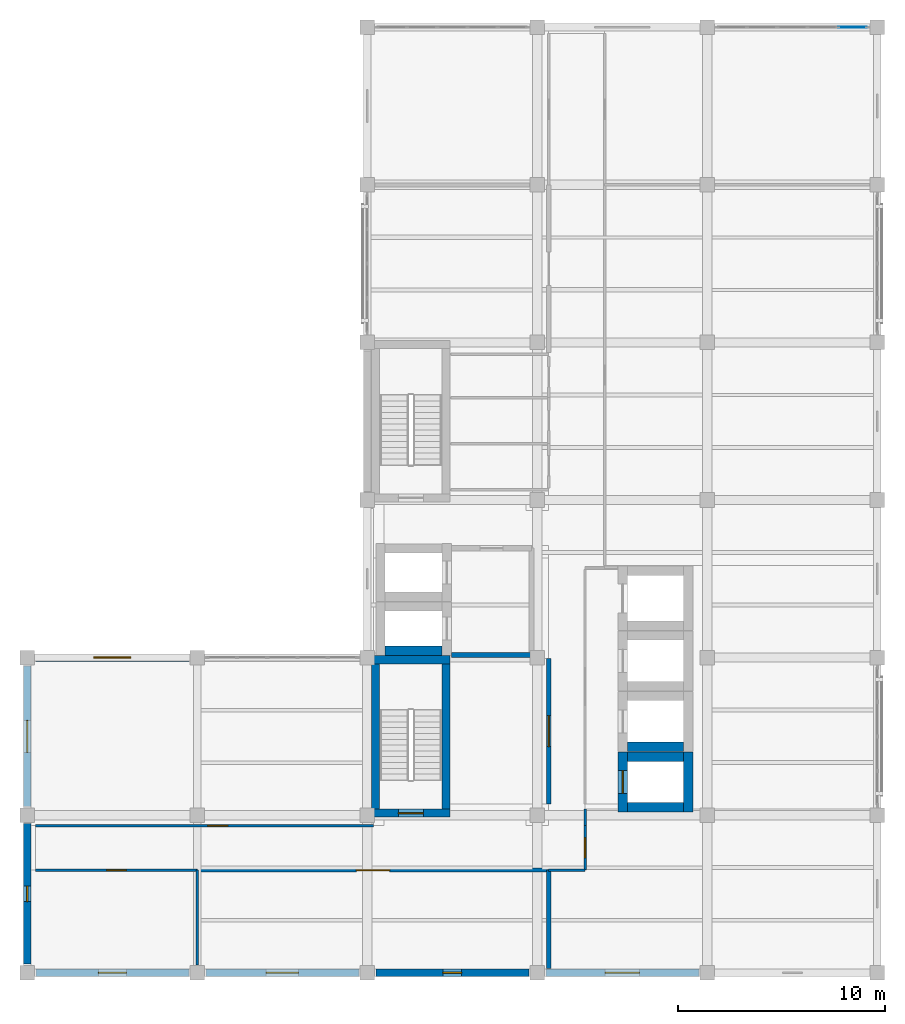
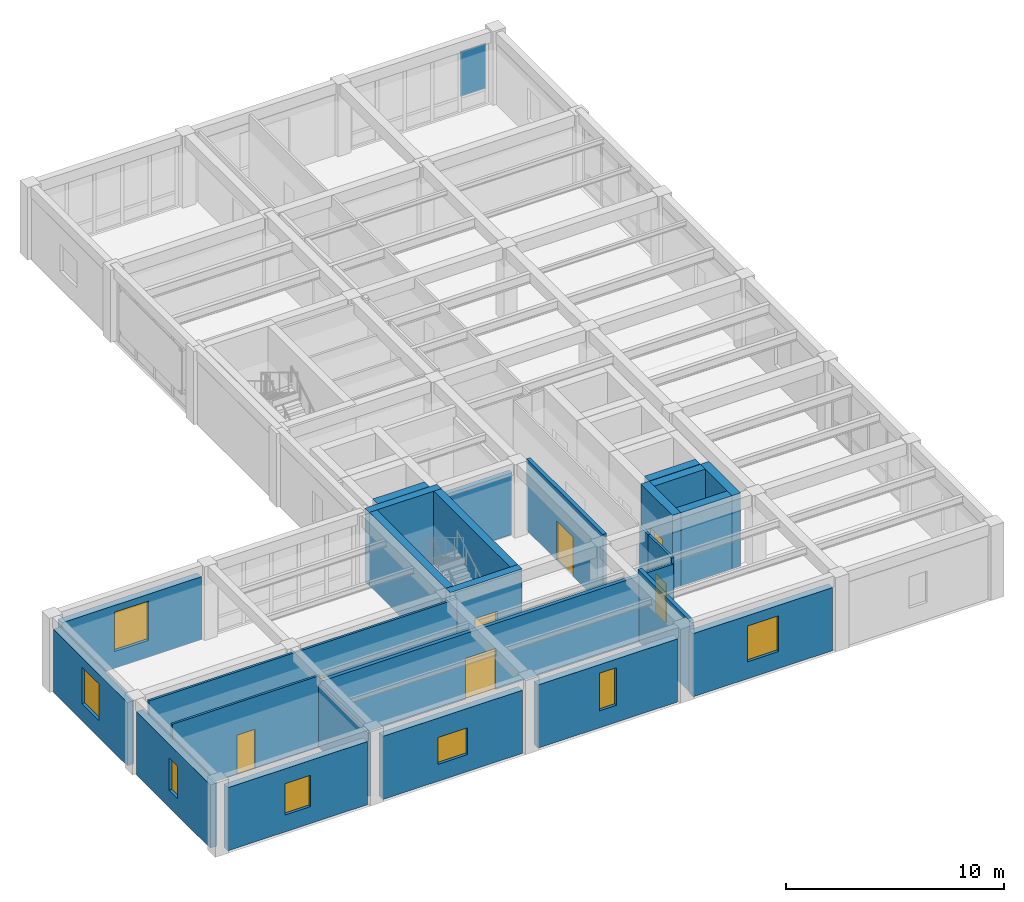
# One storey, part 7 of 13: 27 walls, 7 doors, 7 windows, 1 plate, 14 openings, 1 element without a shape of its own.
"""IFC4 building model written with IfcOpenShell, lengths in metres."""

from ifc_helpers import new_model, si_unit, direction, frame, frame_2d, origin, origin_2d, place, context, subcontext, project, spatial, rectangle, extrude, material, layer, layer_set, type_object, element, fill, aggregate, save


model = new_model("IFC4")

# Units and contexts
model_context = context("Model", 3, precision=1e-05, world=origin(), true_north=direction((0.0, 1.0)))
body_context = subcontext(model_context, "Body", "Model", "MODEL_VIEW")
ifc_project = project(units=[si_unit("LENGTHUNIT", "METRE"), si_unit("AREAUNIT", "SQUARE_METRE"), si_unit("VOLUMEUNIT", "CUBIC_METRE"), si_unit("PLANEANGLEUNIT", "RADIAN"), si_unit("MASSUNIT", "GRAM", prefix="KILO")], contexts=[model_context])

# Site, building, storey
site_placement = place(None, origin())
site = spatial("IfcSite", under=ifc_project, at=site_placement, CompositionType="ELEMENT")
building_placement = place(site_placement, origin())
building = spatial("IfcBuilding", under=site, at=building_placement, Name="Qandaris Square Conservatory and Botanical Centre", CompositionType="ELEMENT")
storey_placement = place(building_placement, frame((0.0, 0.0, 61.800048828125)))
storey = spatial("IfcBuildingStorey", under=building, at=storey_placement, Name="L14", CompositionType="ELEMENT", Elevation=61.800048828125)

# Curtain wall, plate
ifc_material_1 = material(Name="Anodised Aluminium", Category="aluminium")
curtain_wall_type = type_object("IfcCurtainWallType", Name="Unitised Curtain Wall CW-3-730x344", PredefinedType="USERDEFINED", material=ifc_material_1)
curtain_wall_placement = place(storey_placement, origin())
curtain_wall = element("IfcCurtainWall", 1, at=curtain_wall_placement, inside=storey, type_object=curtain_wall_type, Name="Curtain Wall CW-TWR-L14-3-1", ObjectType="GLAZED CURTAIN WALL", PredefinedType="USERDEFINED")
ifc_material_2 = material(Name="Tempered Low-E Glass", Category="glass")
ifc_layer_1 = layer(ifc_material_2, 0.035888671875)
ifc_layer_set_1 = layer_set([ifc_layer_1], Name="Tempered Low-E Glass")
plate_type = type_object("IfcPlateType", Name="Double-Glazed Solar Control Vision Unit 36mm", PredefinedType="CURTAIN_PANEL", material=ifc_layer_set_1)
plate_placement = place(storey_placement, frame((162.603759765625, 62.199951171875, 0.85791015625), z_axis=(0.0, 0.0, 1.0), x_axis=(-1.0, 0.0, 0.0)))
plate = element("IfcPlate", 2, at=plate_placement, type_object=plate_type, Name="CW-3-730x344 panel 1.2", PredefinedType="CURTAIN_PANEL", context=body_context, shape_type="SweptSolid", body=[
    extrude(rectangle(XDim=1.362548828125, YDim=0.035888671875, at=origin_2d()), origin(), (0.0, 0.0, 1.0), 2.516845703125),
])
aggregate(curtain_wall, [plate])

# Wall, opening, window
ifc_material_3 = material(Name="Precast concrete C40/50", Category="concrete")
ifc_layer_2 = layer(ifc_material_3, 0.360107421875)
ifc_layer_set_2 = layer_set([ifc_layer_2], Name="Precast concrete C40/50")
wall_type_1 = type_object("IfcWallType", Name="Architectural Precast Cladding Wall 360mm", PredefinedType="SOLIDWALL", material=ifc_layer_set_2)
wall_1_placement = place(storey_placement, frame((123.2099609375, 16.60009765625, 0.0), z_axis=(0.0, 0.0, 1.0), x_axis=(1.0, 0.0, 0.0)))
wall_1 = element("IfcWall", 3, at=wall_1_placement, inside=storey, type_object=wall_type_1, Name="Exterior Wall EW-TWR-L14-1-1", PredefinedType="SOLIDWALL", context=body_context, shape_type="SweptSolid", body=[
    extrude(rectangle(XDim=7.380126953125, YDim=0.360107421875, at=frame_2d((3.68994140625, 0.0))), origin(), (0.0, 0.0, 1.0), 3.530029296875),
])
opening_1_placement = place(wall_1_placement, frame((3.014892578125, 0.0, 0.949951171875)))
opening_1 = element("IfcOpeningElement", 4, at=opening_1_placement, cuts=wall_1, Name="Opening WN-23", PredefinedType="OPENING", context=body_context, shape_type="SweptSolid", body=[
    extrude(rectangle(XDim=1.35009765625, YDim=1.75, at=frame_2d((0.675048828125, 0.875))), frame((0.0, 0.19189453125, 0.0), z_axis=(0.0, -1.0, 0.0), x_axis=(1.0, 0.0, 0.0)), (0.0, 0.0, 1.0), 0.384033203125),
])
window_type_1 = type_object("IfcWindowType", Name="Solar Control Window 1350x1750", PartitioningType="SINGLE_PANEL", PredefinedType="WINDOW", material=ifc_material_2)
window_1_placement = place(opening_1_placement, origin())
window_1 = element("IfcWindow", 5, at=window_1_placement, inside=storey, type_object=window_type_1, Name="Window EW-TWR-L14-1-1", OverallHeight=1.75, OverallWidth=1.35009765625, PartitioningType="SINGLE_PANEL", PredefinedType="WINDOW", context=body_context, shape_type="SweptSolid", body=[
    extrude(rectangle(XDim=1.35009765625, YDim=1.75, at=frame_2d((0.675048828125, 0.875))), frame((0.0, 0.030029296875, 0.0), z_axis=(0.0, -1.0, 0.0), x_axis=(1.0, 0.0, 0.0)), (0.0, 0.0, 1.0), 0.06005859375),
])
fill(opening_1, window_1)

wall_2_placement = place(storey_placement, frame((131.409912109375, 16.60009765625, 0.0), z_axis=(0.0, 0.0, 1.0), x_axis=(1.0, 0.0, 0.0)))
wall_2 = element("IfcWall", 6, at=wall_2_placement, inside=storey, type_object=wall_type_1, Name="Exterior Wall EW-TWR-L14-1-2", PredefinedType="SOLIDWALL", context=body_context, shape_type="SweptSolid", body=[
    extrude(rectangle(XDim=7.380126953125, YDim=0.360107421875, at=frame_2d((3.68994140625, 0.0))), origin(), (0.0, 0.0, 1.0), 3.530029296875),
])
opening_2_placement = place(wall_2_placement, frame((2.9150390625, 0.0, 0.949951171875)))
opening_2 = element("IfcOpeningElement", 7, at=opening_2_placement, cuts=wall_2, Name="Opening WN-26", PredefinedType="OPENING", context=body_context, shape_type="SweptSolid", body=[
    extrude(rectangle(XDim=1.550048828125, YDim=1.5, at=frame_2d((0.77490234375, 0.75))), frame((0.0, 0.19189453125, 0.0), z_axis=(0.0, -1.0, 0.0), x_axis=(1.0, 0.0, 0.0)), (0.0, 0.0, 1.0), 0.384033203125),
])
window_type_2 = type_object("IfcWindowType", Name="Solar Control Window 1550x1500", PartitioningType="DOUBLE_PANEL_VERTICAL", PredefinedType="WINDOW", material=ifc_material_2)
window_2_placement = place(opening_2_placement, origin())
window_2 = element("IfcWindow", 8, at=window_2_placement, inside=storey, type_object=window_type_2, Name="Window EW-TWR-L14-1-2", OverallHeight=1.5, OverallWidth=1.550048828125, PartitioningType="DOUBLE_PANEL_VERTICAL", PredefinedType="WINDOW", context=body_context, shape_type="SweptSolid", body=[
    extrude(rectangle(XDim=1.550048828125, YDim=1.5, at=frame_2d((0.77490234375, 0.75))), frame((0.0, 0.030029296875, 0.0), z_axis=(0.0, -1.0, 0.0), x_axis=(1.0, 0.0, 0.0)), (0.0, 0.0, 1.0), 0.06005859375),
])
fill(opening_2, window_2)

wall_3_placement = place(storey_placement, frame((139.610107421875, 16.60009765625, 0.0), z_axis=(0.0, 0.0, 1.0), x_axis=(1.0, 0.0, 0.0)))
wall_3 = element("IfcWall", 9, at=wall_3_placement, inside=storey, type_object=wall_type_1, Name="Exterior Wall EW-TWR-L14-1-3", PredefinedType="SOLIDWALL", context=body_context, shape_type="SweptSolid", body=[
    extrude(rectangle(XDim=7.3798828125, YDim=0.360107421875, at=frame_2d((3.68994140625, 0.0))), origin(), (0.0, 0.0, 1.0), 3.530029296875),
])
opening_3_placement = place(wall_3_placement, frame((3.239990234375, 0.0, 0.949951171875)))
opening_3 = element("IfcOpeningElement", 10, at=opening_3_placement, cuts=wall_3, Name="Opening WN-01", PredefinedType="OPENING", context=body_context, shape_type="SweptSolid", body=[
    extrude(rectangle(XDim=0.89990234375, YDim=2.10009765625, at=frame_2d((0.449951171875, 1.050048828125))), frame((0.0, 0.19189453125, 0.0), z_axis=(0.0, -1.0, 0.0), x_axis=(1.0, 0.0, 0.0)), (0.0, 0.0, 1.0), 0.384033203125),
])
window_type_3 = type_object("IfcWindowType", Name="Deep-Set Solar Slot Window 900x2100", PartitioningType="SINGLE_PANEL", PredefinedType="WINDOW", material=ifc_material_2)
window_3_placement = place(opening_3_placement, origin())
window_3 = element("IfcWindow", 11, at=window_3_placement, inside=storey, type_object=window_type_3, Name="Window EW-TWR-L14-1-3", OverallHeight=2.10009765625, OverallWidth=0.89990234375, PartitioningType="SINGLE_PANEL", PredefinedType="WINDOW", context=body_context, shape_type="SweptSolid", body=[
    extrude(rectangle(XDim=0.89990234375, YDim=2.10009765625, at=frame_2d((0.449951171875, 1.050048828125))), frame((0.0, 0.030029296875, 0.0), z_axis=(0.0, -1.0, 0.0), x_axis=(1.0, 0.0, 0.0)), (0.0, 0.0, 1.0), 0.06005859375),
])
fill(opening_3, window_3)

wall_4_placement = place(storey_placement, frame((147.81005859375, 16.60009765625, 0.0), z_axis=(0.0, 0.0, 1.0), x_axis=(1.0, 0.0, 0.0)))
wall_4 = element("IfcWall", 12, at=wall_4_placement, inside=storey, type_object=wall_type_1, Name="Exterior Wall EW-TWR-L14-1-4", PredefinedType="SOLIDWALL", context=body_context, shape_type="SweptSolid", body=[
    extrude(rectangle(XDim=7.3798828125, YDim=0.360107421875, at=frame_2d((3.68994140625, 0.0))), origin(), (0.0, 0.0, 1.0), 3.530029296875),
])
opening_4_placement = place(wall_4_placement, frame((2.864990234375, 0.0, 0.949951171875)))
opening_4 = element("IfcOpeningElement", 13, at=opening_4_placement, cuts=wall_4, Name="Opening WN-08", PredefinedType="OPENING", context=body_context, shape_type="SweptSolid", body=[
    extrude(rectangle(XDim=1.64990234375, YDim=2.0, at=frame_2d((0.824951171875, 1.0))), frame((0.0, 0.19189453125, 0.0), z_axis=(0.0, -1.0, 0.0), x_axis=(1.0, 0.0, 0.0)), (0.0, 0.0, 1.0), 0.384033203125),
])
window_type_4 = type_object("IfcWindowType", Name="Seminar Courtyard Window 1650x2000", PartitioningType="DOUBLE_PANEL_VERTICAL", PredefinedType="WINDOW", material=ifc_material_2)
window_4_placement = place(opening_4_placement, origin())
window_4 = element("IfcWindow", 14, at=window_4_placement, inside=storey, type_object=window_type_4, Name="Window EW-TWR-L14-1-4", OverallHeight=2.0, OverallWidth=1.64990234375, PartitioningType="DOUBLE_PANEL_VERTICAL", PredefinedType="WINDOW", context=body_context, shape_type="SweptSolid", body=[
    extrude(rectangle(XDim=1.64990234375, YDim=2.0, at=frame_2d((0.824951171875, 1.0))), frame((0.0, 0.030029296875, 0.0), z_axis=(0.0, -1.0, 0.0), x_axis=(1.0, 0.0, 0.0)), (0.0, 0.0, 1.0), 0.06005859375),
])
fill(opening_4, window_4)

wall_5_placement = place(storey_placement, frame((130.590087890625, 31.800048828125, 0.0), z_axis=(0.0, 0.0, 1.0), x_axis=(-1.0, 0.0, 0.0)))
wall_5 = element("IfcWall", 15, at=wall_5_placement, inside=storey, type_object=wall_type_1, Name="Exterior Wall EW-TWR-L14-5-2", PredefinedType="SOLIDWALL", context=body_context, shape_type="SweptSolid", body=[
    extrude(rectangle(XDim=7.380126953125, YDim=0.360107421875, at=frame_2d((3.68994140625, 0.0))), origin(), (0.0, 0.0, 1.0), 3.530029296875),
])
opening_5_placement = place(wall_5_placement, frame((2.7900390625, 0.0, 0.949951171875)))
opening_5 = element("IfcOpeningElement", 16, at=opening_5_placement, cuts=wall_5, Name="Opening WN-05", PredefinedType="OPENING", context=body_context, shape_type="SweptSolid", body=[
    extrude(rectangle(XDim=1.800048828125, YDim=2.199951171875, at=frame_2d((0.89990234375, 1.10009765625))), frame((0.0, 0.19189453125, 0.0), z_axis=(0.0, -1.0, 0.0), x_axis=(1.0, 0.0, 0.0)), (0.0, 0.0, 1.0), 0.384033203125),
])
window_type_5 = type_object("IfcWindowType", Name="Tower Corner Outlook Window 1800x2200", PartitioningType="DOUBLE_PANEL_VERTICAL", PredefinedType="WINDOW", material=ifc_material_2)
window_5_placement = place(opening_5_placement, origin())
window_5 = element("IfcWindow", 17, at=window_5_placement, inside=storey, type_object=window_type_5, Name="Window EW-TWR-L14-5-2", OverallHeight=2.199951171875, OverallWidth=1.800048828125, PartitioningType="DOUBLE_PANEL_VERTICAL", PredefinedType="WINDOW", context=body_context, shape_type="SweptSolid", body=[
    extrude(rectangle(XDim=1.800048828125, YDim=2.199951171875, at=frame_2d((0.89990234375, 1.10009765625))), frame((0.0, 0.030029296875, 0.0), z_axis=(0.0, -1.0, 0.0), x_axis=(1.0, 0.0, 0.0)), (0.0, 0.0, 1.0), 0.06005859375),
])
fill(opening_5, window_5)

wall_6_placement = place(storey_placement, frame((122.800048828125, 31.389892578125, 0.0), z_axis=(0.0, 0.0, 1.0), x_axis=(0.0, -1.0, 0.0)))
wall_6 = element("IfcWall", 18, at=wall_6_placement, inside=storey, type_object=wall_type_1, Name="Exterior Wall EW-TWR-L14-6-1", PredefinedType="SOLIDWALL", context=body_context, shape_type="SweptSolid", body=[
    extrude(rectangle(XDim=6.77978515625, YDim=0.360107421875, at=frame_2d((3.389892578125, 0.0))), origin(), (0.0, 0.0, 1.0), 3.530029296875),
])
opening_6_placement = place(wall_6_placement, frame((2.614990234375, 0.0, 0.949951171875)))
opening_6 = element("IfcOpeningElement", 19, at=opening_6_placement, cuts=wall_6, Name="Opening WN-28", PredefinedType="OPENING", context=body_context, shape_type="SweptSolid", body=[
    extrude(rectangle(XDim=1.550048828125, YDim=2.050048828125, at=frame_2d((0.77490234375, 1.02490234375))), frame((0.0, 0.19189453125, 0.0), z_axis=(0.0, -1.0, 0.0), x_axis=(1.0, 0.0, 0.0)), (0.0, 0.0, 1.0), 0.384033203125),
])
window_type_6 = type_object("IfcWindowType", Name="Solar Control Window 1550x2050", PartitioningType="DOUBLE_PANEL_VERTICAL", PredefinedType="WINDOW", material=ifc_material_2)
window_6_placement = place(opening_6_placement, origin())
window_6 = element("IfcWindow", 20, at=window_6_placement, inside=storey, type_object=window_type_6, Name="Window EW-TWR-L14-6-1", OverallHeight=2.050048828125, OverallWidth=1.550048828125, PartitioningType="DOUBLE_PANEL_VERTICAL", PredefinedType="WINDOW", context=body_context, shape_type="SweptSolid", body=[
    extrude(rectangle(XDim=1.550048828125, YDim=2.050048828125, at=frame_2d((0.77490234375, 1.02490234375))), frame((0.0, 0.030029296875, 0.0), z_axis=(0.0, -1.0, 0.0), x_axis=(1.0, 0.0, 0.0)), (0.0, 0.0, 1.0), 0.06005859375),
])
fill(opening_6, window_6)

wall_7_placement = place(storey_placement, frame((122.800048828125, 23.7900390625, 0.0), z_axis=(0.0, 0.0, 1.0), x_axis=(0.0, -1.0, 0.0)))
wall_7 = element("IfcWall", 21, at=wall_7_placement, inside=storey, type_object=wall_type_1, Name="Exterior Wall EW-TWR-L14-6-2", PredefinedType="SOLIDWALL", context=body_context, shape_type="SweptSolid", body=[
    extrude(rectangle(XDim=6.780029296875, YDim=0.360107421875, at=frame_2d((3.39013671875, 0.0))), origin(), (0.0, 0.0, 1.0), 3.530029296875),
])
opening_7_placement = place(wall_7_placement, frame((3.014892578125, 0.0, 0.949951171875)))
opening_7 = element("IfcOpeningElement", 22, at=opening_7_placement, cuts=wall_7, Name="Opening WN-03", PredefinedType="OPENING", context=body_context, shape_type="SweptSolid", body=[
    extrude(rectangle(XDim=0.75, YDim=1.800048828125, at=frame_2d((0.375, 0.89990234375))), frame((0.0, 0.19189453125, 0.0), z_axis=(0.0, -1.0, 0.0), x_axis=(1.0, 0.0, 0.0)), (0.0, 0.0, 1.0), 0.384033203125),
])
window_type_7 = type_object("IfcWindowType", Name="Herbarium UV-Filtered Slot Window 750x1800", PartitioningType="SINGLE_PANEL", PredefinedType="WINDOW", material=ifc_material_2)
window_7_placement = place(opening_7_placement, origin())
window_7 = element("IfcWindow", 23, at=window_7_placement, inside=storey, type_object=window_type_7, Name="Window EW-TWR-L14-6-2", OverallHeight=1.800048828125, OverallWidth=0.75, PartitioningType="SINGLE_PANEL", PredefinedType="WINDOW", context=body_context, shape_type="SweptSolid", body=[
    extrude(rectangle(XDim=0.75, YDim=1.800048828125, at=frame_2d((0.375, 0.89990234375))), frame((0.0, 0.030029296875, 0.0), z_axis=(0.0, -1.0, 0.0), x_axis=(1.0, 0.0, 0.0)), (0.0, 0.0, 1.0), 0.06005859375),
])
fill(opening_7, window_7)

# Wall
ifc_material_4 = material(Name="Concrete C40/50", Category="concrete")
ifc_layer_3 = layer(ifc_material_4, 0.25)
ifc_layer_set_3 = layer_set([ifc_layer_3], Name="Concrete C40/50")
wall_type_2 = type_object("IfcWallType", Name="Firefighting Lobby Compartment Wall 250mm", PredefinedType="SOLIDWALL", material=ifc_layer_set_3)
wall_8_placement = place(storey_placement, frame((143.25, 31.925048828125, 0.0), z_axis=(0.0, 0.0, 1.0), x_axis=(1.0, 0.0, 0.0)))
element("IfcWall", 24, at=wall_8_placement, inside=storey, type_object=wall_type_2, Name="Firefighting Lobby Wall South (L14)", PredefinedType="SOLIDWALL", context=body_context, shape_type="SweptSolid", body=[
    extrude(rectangle(XDim=3.875, YDim=0.25, at=frame_2d((1.9375, 0.0))), origin(), (0.0, 0.0, 1.0), 3.445068359375),
])

# Wall, opening, door
ifc_layer_4 = layer(ifc_material_4, 0.199951171875)
ifc_layer_set_4 = layer_set([ifc_layer_4], Name="Concrete C40/50")
wall_type_3 = type_object("IfcWallType", Name="Herbarium & Plant Compartment Wall 200mm", PredefinedType="PARTITIONING", material=ifc_layer_set_4)
wall_9_placement = place(storey_placement, frame((147.949951171875, 31.75, 0.0), z_axis=(0.0, 0.0, 1.0), x_axis=(0.0, -1.0, 0.0)))
wall_9 = element("IfcWall", 25, at=wall_9_placement, inside=storey, type_object=wall_type_3, Name="Interior Partition IW-L14-0440", PredefinedType="PARTITIONING", context=body_context, shape_type="SweptSolid", body=[
    extrude(rectangle(XDim=7.0, YDim=0.199951171875, at=frame_2d((3.5, 0.0))), origin(), (0.0, 0.0, 1.0), 4.0048828125),
])
opening_8_placement = place(wall_9_placement, frame((2.75, 0.0, 0.0)))
opening_8 = element("IfcOpeningElement", 26, at=opening_8_placement, cuts=wall_9, Name="Opening D-PLT1", PredefinedType="OPENING", context=body_context, shape_type="SweptSolid", body=[
    extrude(rectangle(XDim=1.5, YDim=2.199951171875, at=frame_2d((0.75, 1.10009765625))), frame((0.0, 0.11181640625, 0.0), z_axis=(0.0, -1.0, 0.0), x_axis=(1.0, 0.0, 0.0)), (0.0, 0.0, 1.0), 0.223876953125),
])
ifc_material_5 = material(Name="Steel S355", Category="steel")
door_type_1 = type_object("IfcDoorType", Name="Plant & Riser Double Fire Door 1500x2200", OperationType="DOUBLE_DOOR_SINGLE_SWING", PredefinedType="DOOR", material=ifc_material_5)
door_1_placement = place(opening_8_placement, origin())
door_1 = element("IfcDoor", 27, at=door_1_placement, inside=storey, type_object=door_type_1, Name="DR-0415 Electrical and Telecom Riser Room L14 Door", OperationType="DOUBLE_DOOR_SINGLE_SWING", OverallHeight=2.199951171875, OverallWidth=1.5, PredefinedType="DOOR", context=body_context, shape_type="SweptSolid", body=[
    extrude(rectangle(XDim=1.5, YDim=2.199951171875, at=frame_2d((0.75, 1.10009765625))), frame((0.0, 0.02490234375, 0.0), z_axis=(0.0, -1.0, 0.0), x_axis=(1.0, 0.0, 0.0)), (0.0, 0.0, 1.0), 0.050048828125),
])
fill(opening_8, door_1)

wall_10_placement = place(storey_placement, frame((147.949951171875, 21.550048828125, 0.0), z_axis=(0.0, 0.0, 1.0), x_axis=(-1.0, 0.0, 0.0)))
wall_10 = element("IfcWall", 28, at=wall_10_placement, inside=storey, type_object=wall_type_3, Name="Interior Partition IW-L14-0450", PredefinedType="PARTITIONING", context=body_context, shape_type="SweptSolid", body=[
    extrude(rectangle(XDim=16.949951171875, YDim=0.199951171875, at=frame_2d((8.47509765625, 0.0))), origin(), (0.0, 0.0, 1.0), 3.68505859375),
])
opening_9_placement = place(wall_10_placement, frame((7.675048828125, 0.0, 0.0)))
opening_9 = element("IfcOpeningElement", 29, at=opening_9_placement, cuts=wall_10, Name="Opening D-HRB1", PredefinedType="OPENING", context=body_context, shape_type="SweptSolid", body=[
    extrude(rectangle(XDim=1.60009765625, YDim=2.300048828125, at=frame_2d((0.800048828125, 1.14990234375))), frame((0.0, 0.11181640625, 0.0), z_axis=(0.0, -1.0, 0.0), x_axis=(1.0, 0.0, 0.0)), (0.0, 0.0, 1.0), 0.223876953125),
])
door_type_2 = type_object("IfcDoorType", Name="Herbarium Sealable Specimen Double Door 1600x2300", OperationType="DOUBLE_DOOR_SINGLE_SWING", PredefinedType="DOOR", material=ifc_material_5)
door_2_placement = place(opening_9_placement, frame((1.60009765625, 0.0, 0.0), z_axis=(0.0, 0.0, 1.0), x_axis=(-1.0, 0.0, 0.0)))
door_2 = element("IfcDoor", 30, at=door_2_placement, inside=storey, type_object=door_type_2, Name="DR-0407 International Herbarium Exchange Suite Door", OperationType="DOUBLE_DOOR_SINGLE_SWING", OverallHeight=2.300048828125, OverallWidth=1.60009765625, PredefinedType="DOOR", context=body_context, shape_type="SweptSolid", body=[
    extrude(rectangle(XDim=1.60009765625, YDim=2.300048828125, at=frame_2d((0.800048828125, 1.14990234375))), frame((0.0, 0.02490234375, 0.0), z_axis=(0.0, -1.0, 0.0), x_axis=(1.0, 0.0, 0.0)), (0.0, 0.0, 1.0), 0.050048828125),
])
fill(opening_9, door_2)

# Walls
wall_11_placement = place(storey_placement, frame((147.949951171875, 21.550048828125, 0.0), z_axis=(0.0, 0.0, 1.0), x_axis=(0.0, -1.0, 0.0)))
element("IfcWall", 31, at=wall_11_placement, inside=storey, type_object=wall_type_3, Name="Interior Partition IW-L14-0460", PredefinedType="PARTITIONING", context=body_context, shape_type="SweptSolid", body=[
    extrude(rectangle(XDim=4.739990234375, YDim=0.199951171875, at=frame_2d((2.3701171875, 0.0))), origin(), (0.0, 0.0, 1.0), 4.0048828125),
])
ifc_material_6 = material(Name="Concrete C50/60", Category="concrete")
ifc_layer_5 = layer(ifc_material_6, 0.449951171875)
ifc_layer_set_5 = layer_set([ifc_layer_5], Name="Concrete C50/60")
wall_type_4 = type_object("IfcWallType", Name="RC Coupled Core Shear Wall 450mm", PredefinedType="SHEAR", material=ifc_layer_set_5)
wall_12_placement = place(storey_placement, frame((140.06005859375, 32.135009765625, 0.0), z_axis=(0.0, 0.0, 1.0), x_axis=(1.0, 0.0, 0.0)))
element("IfcWall", 32, at=wall_12_placement, inside=storey, type_object=wall_type_4, Name="Lift FFL1 Shaft Wall South (L14)", PredefinedType="SHEAR", context=body_context, shape_type="SweptSolid", body=[
    extrude(rectangle(XDim=2.739990234375, YDim=0.449951171875, at=frame_2d((1.3701171875, 0.0))), origin(), (0.0, 0.0, 1.0), 4.10986328125),
])
for number, where, z_axis, x_axis, name in (
    (33, (151.75, 24.574951171875, 0.0), (0.0, 0.0, 1.0), (1.0, 0.0, 0.0), "Lift PL1 Shaft Wall South (L14)"),
    (34, (151.75, 27.02490234375, 0.0), (0.0, 0.0, 1.0), (1.0, 0.0, 0.0), "Lift PL1 Shaft Wall North (L14)"),
):
    element("IfcWall", number, at=place(storey_placement, frame(where, z_axis=z_axis, x_axis=x_axis)), inside=storey, type_object=wall_type_4, Name=name, PredefinedType="SHEAR", context=body_context, shape_type="SweptSolid", body=[
        extrude(rectangle(XDim=2.699951171875, YDim=0.449951171875, at=frame_2d((1.35009765625, 0.0))), origin(), (0.0, 0.0, 1.0), 4.10986328125),
    ])

# Wall, opening, door
wall_13_placement = place(storey_placement, frame((151.52490234375, 24.35009765625, 0.0), z_axis=(0.0, 0.0, 1.0), x_axis=(0.0, 1.0, 0.0)))
wall_13 = element("IfcWall", 35, at=wall_13_placement, inside=storey, type_object=wall_type_4, Name="Lift PL1 Shaft Wall West (L14)", PredefinedType="SHEAR", context=body_context, shape_type="SweptSolid", body=[
    extrude(rectangle(XDim=2.89990234375, YDim=0.449951171875, at=frame_2d((1.449951171875, 0.0))), origin(), (0.0, 0.0, 1.0), 4.10986328125),
])
opening_10_placement = place(wall_13_placement, frame((0.89990234375, 0.0, 0.0)))
opening_10 = element("IfcOpeningElement", 36, at=opening_10_placement, cuts=wall_13, Name="Opening LD-PAX", PredefinedType="OPENING", context=body_context, shape_type="SweptSolid", body=[
    extrude(rectangle(XDim=1.10009765625, YDim=2.199951171875, at=frame_2d((0.550048828125, 1.10009765625))), frame((0.0, 0.23681640625, 0.0), z_axis=(0.0, -1.0, 0.0), x_axis=(1.0, 0.0, 0.0)), (0.0, 0.0, 1.0), 0.473876953125),
])
door_type_3 = type_object("IfcDoorType", Name="Passenger Lift Sliding Landing Door 1100x2200", OperationType="DOUBLE_DOOR_SLIDING", PredefinedType="DOOR", material=ifc_material_1)
door_3_placement = place(opening_10_placement, origin())
door_3 = element("IfcDoor", 37, at=door_3_placement, inside=storey, type_object=door_type_3, Name="DR-0424 Lift PL1 Landing Door (L14)", OperationType="DOUBLE_DOOR_SLIDING", OverallHeight=2.199951171875, OverallWidth=1.10009765625, PredefinedType="DOOR", context=body_context, shape_type="SweptSolid", body=[
    extrude(rectangle(XDim=1.10009765625, YDim=2.199951171875, at=frame_2d((0.550048828125, 1.10009765625))), frame((0.0, 0.02490234375, 0.0), z_axis=(0.0, -1.0, 0.0), x_axis=(1.0, 0.0, 0.0)), (0.0, 0.0, 1.0), 0.050048828125),
])
fill(opening_10, door_3)

# Walls
wall_14_placement = place(storey_placement, frame((154.675048828125, 24.35009765625, 0.0), z_axis=(0.0, 0.0, 1.0), x_axis=(0.0, 1.0, 0.0)))
element("IfcWall", 38, at=wall_14_placement, inside=storey, type_object=wall_type_4, Name="Lift PL1 Shaft Wall East (L14)", PredefinedType="SHEAR", context=body_context, shape_type="SweptSolid", body=[
    extrude(rectangle(XDim=2.89990234375, YDim=0.449951171875, at=frame_2d((1.449951171875, 0.0))), origin(), (0.0, 0.0, 1.0), 4.10986328125),
])
wall_15_placement = place(storey_placement, frame((151.75, 27.4951171875, 0.0), z_axis=(0.0, 0.0, 1.0), x_axis=(1.0, 0.0, 0.0)))
element("IfcWall", 39, at=wall_15_placement, inside=storey, type_object=wall_type_4, Name="Lift PL2 Shaft Wall South (L14)", PredefinedType="SHEAR", context=body_context, shape_type="SweptSolid", body=[
    extrude(rectangle(XDim=2.699951171875, YDim=0.449951171875, at=frame_2d((1.35009765625, 0.0))), origin(), (0.0, 0.0, 1.0), 4.10986328125),
])

# Wall, opening, door
ifc_layer_6 = layer(ifc_material_6, 0.39990234375)
ifc_layer_set_6 = layer_set([ifc_layer_6], Name="Concrete C50/60")
wall_type_5 = type_object("IfcWallType", Name="RC Stair Core Shear Wall 400mm", PredefinedType="SHEAR", material=ifc_layer_set_6)
wall_16_placement = place(storey_placement, frame((139.39990234375, 24.300048828125, 0.0), z_axis=(0.0, 0.0, 1.0), x_axis=(1.0, 0.0, 0.0)))
wall_16 = element("IfcWall", 40, at=wall_16_placement, inside=storey, type_object=wall_type_5, Name="ST-1 Core Shear Wall South (L14)", PredefinedType="SHEAR", context=body_context, shape_type="SweptSolid", body=[
    extrude(rectangle(XDim=3.800048828125, YDim=0.39990234375, at=frame_2d((1.89990234375, 0.0))), origin(), (0.0, 0.0, 1.0), 4.10986328125),
])
opening_11_placement = place(wall_16_placement, frame((1.300048828125, 0.0, 0.0)))
opening_11 = element("IfcOpeningElement", 41, at=opening_11_placement, cuts=wall_16, Name="Opening D-ST1", PredefinedType="OPENING", context=body_context, shape_type="SweptSolid", body=[
    extrude(rectangle(XDim=1.199951171875, YDim=2.199951171875, at=frame_2d((0.60009765625, 1.10009765625))), frame((0.0, 0.2119140625, 0.0), z_axis=(0.0, -1.0, 0.0), x_axis=(1.0, 0.0, 0.0)), (0.0, 0.0, 1.0), 0.423828125),
])
door_type_4 = type_object("IfcDoorType", Name="Exit Stair Core Fire Door 1200x2200", OperationType="NOTDEFINED", PredefinedType="DOOR", material=ifc_material_5)
door_4_placement = place(opening_11_placement, origin())
door_4 = element("IfcDoor", 42, at=door_4_placement, inside=storey, type_object=door_type_4, Name="DR-0416 ST-1 Stair Core Door (L14)", OperationType="SINGLE_SWING_RIGHT", OverallHeight=2.199951171875, OverallWidth=1.199951171875, PredefinedType="DOOR", context=body_context, shape_type="SweptSolid", body=[
    extrude(rectangle(XDim=1.199951171875, YDim=2.199951171875, at=frame_2d((0.60009765625, 1.10009765625))), frame((0.0, 0.02490234375, 0.0), z_axis=(0.0, -1.0, 0.0), x_axis=(1.0, 0.0, 0.0)), (0.0, 0.0, 1.0), 0.050048828125),
])
fill(opening_11, door_4)

# Walls
wall_17_placement = place(storey_placement, frame((139.39990234375, 31.699951171875, 0.0), z_axis=(0.0, 0.0, 1.0), x_axis=(1.0, 0.0, 0.0)))
element("IfcWall", 43, at=wall_17_placement, inside=storey, type_object=wall_type_5, Name="ST-1 Core Shear Wall North (L14)", PredefinedType="SHEAR", context=body_context, shape_type="SweptSolid", body=[
    extrude(rectangle(XDim=3.800048828125, YDim=0.39990234375, at=frame_2d((1.89990234375, 0.0))), origin(), (0.0, 0.0, 1.0), 4.10986328125),
])
for number, where, z_axis, x_axis, name in (
    (44, (139.60009765625, 24.5, 0.0), (0.0, 0.0, 1.0), (0.0, 1.0, 0.0), "ST-1 Core Shear Wall West (L14)"),
    (45, (143.0, 24.5, 0.0), (0.0, 0.0, 1.0), (0.0, 1.0, 0.0), "ST-1 Core Shear Wall East (L14)"),
):
    element("IfcWall", number, at=place(storey_placement, frame(where, z_axis=z_axis, x_axis=x_axis)), inside=storey, type_object=wall_type_5, Name=name, PredefinedType="SHEAR", context=body_context, shape_type="SweptSolid", body=[
        extrude(rectangle(XDim=7.0, YDim=0.39990234375, at=frame_2d((3.5, 0.0))), origin(), (0.0, 0.0, 1.0), 4.10986328125),
    ])

# Wall, opening, door
ifc_material_7 = material(Name="Gypsum Plasterboard", Category="gypsum")
ifc_layer_7 = layer(ifc_material_7, 0.1201171875)
ifc_layer_set_7 = layer_set([ifc_layer_7], Name="Gypsum Plasterboard")
wall_type_6 = type_object("IfcWallType", Name="Standard Research Partition 120mm", PredefinedType="PARTITIONING", material=ifc_layer_set_7)
wall_18_placement = place(storey_placement, frame((131.0, 21.550048828125, 0.0), z_axis=(0.0, 0.0, 1.0), x_axis=(-1.0, 0.0, 0.0)))
wall_18 = element("IfcWall", 46, at=wall_18_placement, inside=storey, type_object=wall_type_6, Name="Interior Partition IW-L14-0449", PredefinedType="PARTITIONING", context=body_context, shape_type="SweptSolid", body=[
    extrude(rectangle(XDim=7.800048828125, YDim=0.1201171875, at=frame_2d((3.89990234375, 0.0))), origin(), (0.0, 0.0, 1.0), 4.0048828125),
])
opening_12_placement = place(wall_18_placement, frame((3.425048828125, 0.0, 0.0)))
opening_12 = element("IfcOpeningElement", 47, at=opening_12_placement, cuts=wall_18, Name="Opening D-OFF1", PredefinedType="OPENING", context=body_context, shape_type="SweptSolid", body=[
    extrude(rectangle(XDim=0.949951171875, YDim=2.199951171875, at=frame_2d((0.47509765625, 1.10009765625))), frame((0.0, 0.072021484375, 0.0), z_axis=(0.0, -1.0, 0.0), x_axis=(1.0, 0.0, 0.0)), (0.0, 0.0, 1.0), 0.14404296875),
])
ifc_material_8 = material(Name="Engineered Oak Timber", Category="wood")
door_type_5 = type_object("IfcDoorType", Name="Research Office Acoustic Door 950x2200", OperationType="NOTDEFINED", PredefinedType="DOOR", material=ifc_material_8)
door_5_placement = place(opening_12_placement, origin())
door_5 = element("IfcDoor", 48, at=door_5_placement, inside=storey, type_object=door_type_5, Name="DR-0409 Botanical Policy Research Laboratory Door", OperationType="SINGLE_SWING_LEFT", OverallHeight=2.199951171875, OverallWidth=0.949951171875, PredefinedType="DOOR", context=body_context, shape_type="SweptSolid", body=[
    extrude(rectangle(XDim=0.949951171875, YDim=2.199951171875, at=frame_2d((0.47509765625, 1.10009765625))), frame((0.0, 0.02490234375, 0.0), z_axis=(0.0, -1.0, 0.0), x_axis=(1.0, 0.0, 0.0)), (0.0, 0.0, 1.0), 0.050048828125),
])
fill(opening_12, door_5)

# Wall
wall_19_placement = place(storey_placement, frame((149.699951171875, 24.5, 0.0), z_axis=(0.0, 0.0, 1.0), x_axis=(0.0, -1.0, 0.0)))
element("IfcWall", 49, at=wall_19_placement, inside=storey, type_object=wall_type_6, Name="Interior Partition IW-L14-0451", PredefinedType="PARTITIONING", context=body_context, shape_type="SweptSolid", body=[
    extrude(rectangle(XDim=0.800048828125, YDim=0.1201171875, at=frame_2d((0.39990234375, 0.0))), origin(), (0.0, 0.0, 1.0), 4.0048828125),
])

# Wall, opening, door
wall_20_placement = place(storey_placement, frame((149.699951171875, 23.699951171875, 0.0), z_axis=(0.0, 0.0, 1.0), x_axis=(0.0, -1.0, 0.0)))
wall_20 = element("IfcWall", 50, at=wall_20_placement, inside=storey, type_object=wall_type_6, Name="Interior Partition IW-L14-0452", PredefinedType="PARTITIONING", context=body_context, shape_type="SweptSolid", body=[
    extrude(rectangle(XDim=2.14990234375, YDim=0.1201171875, at=frame_2d((1.074951171875, 0.0))), origin(), (0.0, 0.0, 1.0), 4.0048828125),
])
opening_13_placement = place(wall_20_placement, frame((0.60009765625, 0.0, 0.0)))
opening_13 = element("IfcOpeningElement", 51, at=opening_13_placement, cuts=wall_20, Name="Opening D-OFF1", PredefinedType="OPENING", context=body_context, shape_type="SweptSolid", body=[
    extrude(rectangle(XDim=0.949951171875, YDim=2.199951171875, at=frame_2d((0.47509765625, 1.10009765625))), frame((0.0, 0.072021484375, 0.0), z_axis=(0.0, -1.0, 0.0), x_axis=(1.0, 0.0, 0.0)), (0.0, 0.0, 1.0), 0.14404296875),
])
door_6_placement = place(opening_13_placement, origin())
door_6 = element("IfcDoor", 52, at=door_6_placement, inside=storey, type_object=door_type_5, Name="DR-0410 Floor L14 Instrument and Balance Room Door", OperationType="SINGLE_SWING_RIGHT", OverallHeight=2.199951171875, OverallWidth=0.949951171875, PredefinedType="DOOR", context=body_context, shape_type="SweptSolid", body=[
    extrude(rectangle(XDim=0.949951171875, YDim=2.199951171875, at=frame_2d((0.47509765625, 1.10009765625))), frame((0.0, 0.02490234375, 0.0), z_axis=(0.0, -1.0, 0.0), x_axis=(1.0, 0.0, 0.0)), (0.0, 0.0, 1.0), 0.050048828125),
])
fill(opening_13, door_6)

# Wall
wall_21_placement = place(storey_placement, frame((149.699951171875, 21.550048828125, 0.0), z_axis=(0.0, 0.0, 1.0), x_axis=(-1.0, 0.0, 0.0)))
element("IfcWall", 53, at=wall_21_placement, inside=storey, type_object=wall_type_6, Name="Interior Partition IW-L14-0453", PredefinedType="PARTITIONING", context=body_context, shape_type="SweptSolid", body=[
    extrude(rectangle(XDim=1.75, YDim=0.1201171875, at=frame_2d((0.875, 0.0))), origin(), (0.0, 0.0, 1.0), 3.68505859375),
])

# Wall, opening, door
wall_22_placement = place(storey_placement, frame((123.199951171875, 23.699951171875, 0.0), z_axis=(0.0, 0.0, 1.0), x_axis=(1.0, 0.0, 0.0)))
wall_22 = element("IfcWall", 54, at=wall_22_placement, inside=storey, type_object=wall_type_6, Name="Interior Partition IW-L14-0458", PredefinedType="PARTITIONING", context=body_context, shape_type="SweptSolid", body=[
    extrude(rectangle(XDim=16.300048828125, YDim=0.1201171875, at=frame_2d((8.14990234375, 0.0))), origin(), (0.0, 0.0, 1.0), 4.0048828125),
])
opening_14_placement = place(wall_22_placement, frame((8.310302734375, 0.0, 0.0)))
opening_14 = element("IfcOpeningElement", 55, at=opening_14_placement, cuts=wall_22, Name="Opening D-OFF1", PredefinedType="OPENING", context=body_context, shape_type="SweptSolid", body=[
    extrude(rectangle(XDim=0.949951171875, YDim=2.199951171875, at=frame_2d((0.47509765625, 1.10009765625))), frame((0.0, 0.072021484375, 0.0), z_axis=(0.0, -1.0, 0.0), x_axis=(1.0, 0.0, 0.0)), (0.0, 0.0, 1.0), 0.14404296875),
])
door_7_placement = place(opening_14_placement, frame((0.949951171875, 0.0, 0.0), z_axis=(0.0, 0.0, 1.0), x_axis=(-1.0, 0.0, 0.0)))
door_7 = element("IfcDoor", 56, at=door_7_placement, inside=storey, type_object=door_type_5, Name="DR-0414 Directorate Research Laboratory Door", OperationType="SINGLE_SWING_RIGHT", OverallHeight=2.199951171875, OverallWidth=0.949951171875, PredefinedType="DOOR", context=body_context, shape_type="SweptSolid", body=[
    extrude(rectangle(XDim=0.949951171875, YDim=2.199951171875, at=frame_2d((0.47509765625, 1.10009765625))), frame((0.0, 0.02490234375, 0.0), z_axis=(0.0, -1.0, 0.0), x_axis=(1.0, 0.0, 0.0)), (0.0, 0.0, 1.0), 0.050048828125),
])
fill(opening_14, door_7)

# Wall
wall_23_placement = place(storey_placement, frame((131.0, 21.550048828125, 0.0), z_axis=(0.0, 0.0, 1.0), x_axis=(0.0, -1.0, 0.0)))
element("IfcWall", 57, at=wall_23_placement, inside=storey, type_object=wall_type_6, Name="Interior Partition IW-L14-0459", PredefinedType="PARTITIONING", context=body_context, shape_type="SweptSolid", body=[
    extrude(rectangle(XDim=4.580078125, YDim=0.1201171875, at=frame_2d((2.2900390625, 0.0))), origin(), (0.0, 0.0, 1.0), 3.530029296875),
])

save(model, "model.ifc")
